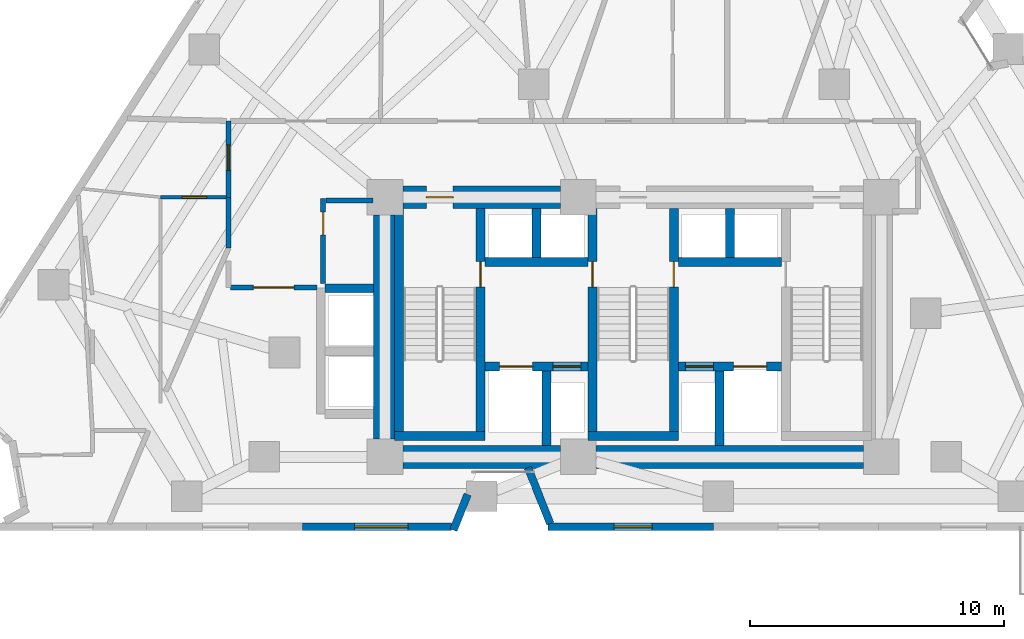
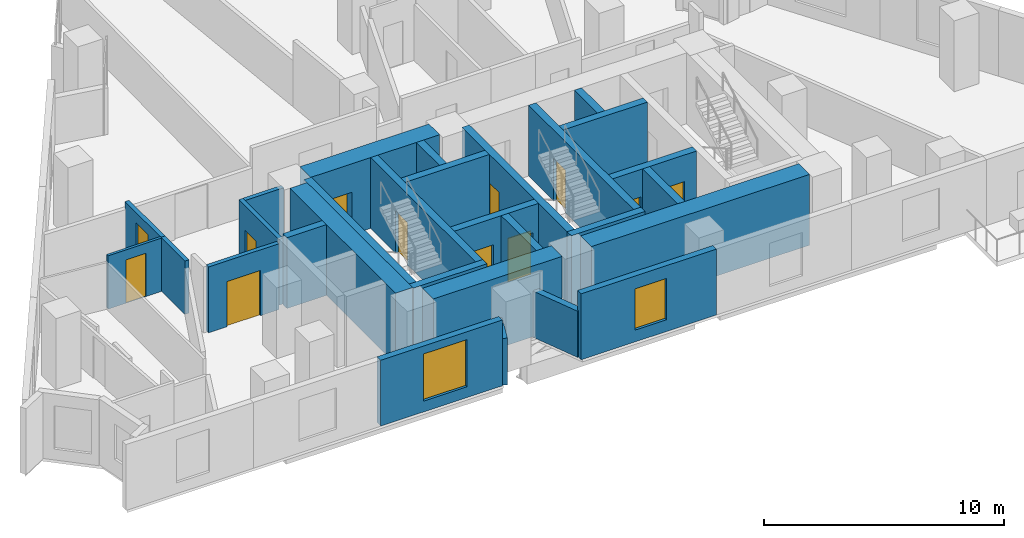
# One storey, part 7 of 13: 29 walls, 12 doors, 2 windows, 14 openings.
"""IFC4 building model written with IfcOpenShell, lengths in metres."""

from ifc_helpers import new_model, si_unit, direction, frame, frame_2d, origin, place, context, subcontext, project, spatial, rectangle, extrude, material, layer, layer_set, type_object, element, fill, save


model = new_model("IFC4")

# Units and contexts
model_context = context("Model", 3, precision=1e-05, world=origin(), true_north=direction((0.0, 1.0)))
body_context = subcontext(model_context, "Body", "Model", "MODEL_VIEW")
ifc_project = project(units=[si_unit("LENGTHUNIT", "METRE"), si_unit("AREAUNIT", "SQUARE_METRE"), si_unit("VOLUMEUNIT", "CUBIC_METRE"), si_unit("PLANEANGLEUNIT", "RADIAN"), si_unit("MASSUNIT", "GRAM", prefix="KILO")], contexts=[model_context])

# Site, building, storey
site_placement = place(None, origin())
site = spatial("IfcSite", under=ifc_project, at=site_placement, CompositionType="ELEMENT")
building_placement = place(site_placement, origin())
building = spatial("IfcBuilding", under=site, at=building_placement, Name="Almagre Mirador Tower", CompositionType="ELEMENT")
storey_placement = place(building_placement, frame((0.0, 0.0, 85.800048828125)))
storey = spatial("IfcBuildingStorey", under=building, at=storey_placement, Name="L21", CompositionType="ELEMENT", Elevation=85.800048828125)

# Wall, opening, window
ifc_material_1 = material(Name="Precast concrete C50/60", Category="concrete")
ifc_layer_1 = layer(ifc_material_1, 0.300048828125)
ifc_layer_set_1 = layer_set([ifc_layer_1], Name="Precast concrete C50/60")
wall_type_1 = type_object("IfcWallType", Name="WAL-EXT-300", PredefinedType="SOLIDWALL", material=ifc_layer_set_1)
wall_1_placement = place(storey_placement, frame((40.448974609375, 1.800048828125, 0.0), z_axis=(0.0, 0.0, 1.0), x_axis=(-1.0, 0.0, 0.0)))
wall_1 = element("IfcWall", 1, at=wall_1_placement, inside=storey, type_object=wall_type_1, Name="L21 expressed almagre precast frame wall 25", PredefinedType="SOLIDWALL", context=body_context, shape_type="SweptSolid", body=[
    extrude(rectangle(XDim=6.4970703125, YDim=0.300048828125, at=frame_2d((3.24853515625, 0.0))), origin(), (0.0, 0.0, 1.0), 3.349853515625),
])
opening_1_placement = place(wall_1_placement, frame((2.39990234375, 0.0, 0.60009765625)))
opening_1 = element("IfcOpeningElement", 2, at=opening_1_placement, cuts=wall_1, Name="Opening WN-03", PredefinedType="OPENING", context=body_context, shape_type="SweptSolid", body=[
    extrude(rectangle(XDim=1.5, YDim=2.10009765625, at=frame_2d((0.75, 1.050048828125))), frame((0.0, 0.159902, 0.0), z_axis=(0.0, -1.0, 0.0), x_axis=(1.0, 0.0, 0.0)), (0.0, 0.0, 1.0), 0.320049),
])
ifc_material_2 = material(Name="Dark solar-control laminated hurricane glass", Category="glass")
window_type_1 = type_object("IfcWindowType", Name="WIN-1500X2100", PartitioningType="DOUBLE_PANEL_VERTICAL", PredefinedType="WINDOW", material=ifc_material_2)
window_1_placement = place(opening_1_placement, origin())
window_1 = element("IfcWindow", 3, at=window_1_placement, inside=storey, type_object=window_type_1, Name="L21 recessed hurricane window L21-RST-B", OverallHeight=2.10009765625, OverallWidth=1.5, PartitioningType="SINGLE_PANEL", PredefinedType="WINDOW", context=body_context, shape_type="SweptSolid", body=[
    extrude(rectangle(XDim=1.5, YDim=2.10009765625, at=frame_2d((0.75, 1.050048828125))), frame((0.0, 0.030029296875, 0.0), z_axis=(0.0, -1.0, 0.0), x_axis=(1.0, 0.0, 0.0)), (0.0, 0.0, 1.0), 0.06005859375),
])
fill(opening_1, window_1)

# Walls
wall_2_placement = place(storey_placement, frame((34.0419921875, 1.92529296875, 0.0), z_axis=(0.0, 0.0, 1.0), x_axis=(-0.36946923074, 0.92924296475, 0.0)))
element("IfcWall", 4, at=wall_2_placement, inside=storey, type_object=wall_type_1, Name="L21 expressed almagre precast frame wall 26", PredefinedType="SOLIDWALL", context=body_context, shape_type="SweptSolid", body=[
    extrude(rectangle(XDim=2.366943359375, YDim=0.300048828125, at=frame_2d((1.18359375, 0.0))), origin(), (0.0, 0.0, 1.0), 2.349853515625),
])
wall_3_placement = place(storey_placement, frame((30.798095703125, 3.072509765625, 0.0), z_axis=(0.0, 0.0, 1.0), x_axis=(-0.369577358024, -0.929199965797, 0.0)))
element("IfcWall", 5, at=wall_3_placement, inside=storey, type_object=wall_type_1, Name="L21 expressed almagre precast frame wall 27", PredefinedType="SOLIDWALL", context=body_context, shape_type="SweptSolid", body=[
    extrude(rectangle(XDim=1.509521484375, YDim=0.300048828125, at=frame_2d((0.7548828125, 0.0))), origin(), (0.0, 0.0, 1.0), 2.375),
])

# Wall, opening, window
wall_4_placement = place(storey_placement, frame((30.156982421875, 1.800048828125, 0.0), z_axis=(0.0, 0.0, 1.0), x_axis=(-1.0, 0.0, 0.0)))
wall_4 = element("IfcWall", 6, at=wall_4_placement, inside=storey, type_object=wall_type_1, Name="L21 expressed almagre precast frame wall 28", PredefinedType="SOLIDWALL", context=body_context, shape_type="SweptSolid", body=[
    extrude(rectangle(XDim=5.848876953125, YDim=0.300048828125, at=frame_2d((2.92431640625, 0.0))), origin(), (0.0, 0.0, 1.0), 3.349853515625),
])
opening_2_placement = place(wall_4_placement, frame((1.699951171875, 0.0, 0.550048828125)))
opening_2 = element("IfcOpeningElement", 7, at=opening_2_placement, cuts=wall_4, Name="Opening WN-05", PredefinedType="OPENING", context=body_context, shape_type="SweptSolid", body=[
    extrude(rectangle(XDim=2.10009765625, YDim=2.39990234375, at=frame_2d((1.050048828125, 1.199951171875))), frame((0.0, 0.159902, 0.0), z_axis=(0.0, -1.0, 0.0), x_axis=(1.0, 0.0, 0.0)), (0.0, 0.0, 1.0), 0.320049),
])
ifc_material_3 = material(Name="Dark solar-control laminated hurricane glass", Category="glass")
window_type_2 = type_object("IfcWindowType", Name="WIN-2100X2400", PartitioningType="DOUBLE_PANEL_VERTICAL", PredefinedType="WINDOW", material=ifc_material_3)
window_2_placement = place(opening_2_placement, origin())
window_2 = element("IfcWindow", 8, at=window_2_placement, inside=storey, type_object=window_type_2, Name="L21 recessed hurricane window L21-RST-A", OverallHeight=2.39990234375, OverallWidth=2.10009765625, PartitioningType="SINGLE_PANEL", PredefinedType="WINDOW", context=body_context, shape_type="SweptSolid", body=[
    extrude(rectangle(XDim=2.10009765625, YDim=2.39990234375, at=frame_2d((1.050048828125, 1.199951171875))), frame((0.0, 0.030029296875, 0.0), z_axis=(0.0, -1.0, 0.0), x_axis=(1.0, 0.0, 0.0)), (0.0, 0.0, 1.0), 0.06005859375),
])
fill(opening_2, window_2)

# Wall, opening, door
ifc_material_4 = material(Name="Gypsum acoustic stud partition", Category="other")
ifc_layer_2 = layer(ifc_material_4, 0.125)
ifc_layer_set_2 = layer_set([ifc_layer_2], Name="Gypsum acoustic stud partition")
wall_type_2 = type_object("IfcWallType", Name="WAL-PRT-125-UTL", PredefinedType="PARTITIONING", material=ifc_layer_set_2)
wall_5_placement = place(storey_placement, frame((18.72998046875, 14.75, 0.0), z_axis=(0.0, 0.0, 1.0), x_axis=(1.0, 0.0, 0.0)))
wall_5 = element("IfcWall", 9, at=wall_5_placement, inside=storey, type_object=wall_type_2, Name="L21 interior partition 021", PredefinedType="PARTITIONING", context=body_context, shape_type="SweptSolid", body=[
    extrude(rectangle(XDim=2.5849609375, YDim=0.125, at=frame_2d((1.29248046875, 0.0))), origin(), (0.0, 0.0, 1.0), 2.7119140625),
])
opening_3_placement = place(wall_5_placement, frame((0.860107421875, 0.0, 0.0)))
opening_3 = element("IfcOpeningElement", 10, at=opening_3_placement, cuts=wall_5, Name="Opening UD-01", PredefinedType="OPENING", context=body_context, shape_type="SweptSolid", body=[
    extrude(rectangle(XDim=0.949951171875, YDim=2.199951171875, at=frame_2d((0.47509765625, 1.10009765625))), frame((0.0, 0.0725, 0.0), z_axis=(0.0, -1.0, 0.0), x_axis=(1.0, 0.0, 0.0)), (0.0, 0.0, 1.0), 0.145),
])
ifc_material_5 = material(Name="Solid American walnut timber", Category="wood")
door_type_1 = type_object("IfcDoorType", Name="DOR-UNR-950X2200", OperationType="NOTDEFINED", PredefinedType="DOOR", material=ifc_material_5)
door_1_placement = place(opening_3_placement, origin())
door_1 = element("IfcDoor", 11, at=door_1_placement, inside=storey, type_object=door_type_1, Name="DR-0725 L21 interior door L21-UC-LV to L21-UC-KT", OperationType="SINGLE_SWING_RIGHT", OverallHeight=2.199951171875, OverallWidth=0.949951171875, PredefinedType="DOOR", context=body_context, shape_type="SweptSolid", body=[
    extrude(rectangle(XDim=0.949951171875, YDim=2.199951171875, at=frame_2d((0.47509765625, 1.10009765625))), frame((0.0, 0.02490234375, 0.0), z_axis=(0.0, -1.0, 0.0), x_axis=(1.0, 0.0, 0.0)), (0.0, 0.0, 1.0), 0.050048828125),
])
fill(opening_3, door_1)

ifc_material_6 = material(Name="Gypsum acoustic stud partition", Category="other")
ifc_layer_3 = layer(ifc_material_6, 0.199951171875)
ifc_layer_set_3 = layer_set([ifc_layer_3], Name="Gypsum acoustic stud partition")
wall_type_3 = type_object("IfcWallType", Name="WAL-PRT-200-EI60", PredefinedType="PARTITIONING", material=ifc_layer_set_3)
wall_6_placement = place(storey_placement, frame((25.1201171875, 11.3701171875, 0.0), z_axis=(0.0, 0.0, 1.0), x_axis=(0.0, 1.0, 0.0)))
wall_6 = element("IfcWall", 12, at=wall_6_placement, inside=storey, type_object=wall_type_3, Name="L21 core ancillary west wall", PredefinedType="PARTITIONING", context=body_context, shape_type="SweptSolid", body=[
    extrude(rectangle(XDim=3.33984375, YDim=0.199951171875, at=frame_2d((1.669921875, 0.0))), origin(), (0.0, 0.0, 1.0), 3.349853515625),
])
opening_4_placement = place(wall_6_placement, frame((1.89990234375, 0.0, 0.0)))
opening_4 = element("IfcOpeningElement", 13, at=opening_4_placement, cuts=wall_6, Name="Opening ID-03", PredefinedType="OPENING", context=body_context, shape_type="SweptSolid", body=[
    extrude(rectangle(XDim=0.89990234375, YDim=2.10009765625, at=frame_2d((0.449951171875, 1.050048828125))), frame((0.0, 0.110098, 0.0), z_axis=(0.0, -1.0, 0.0), x_axis=(1.0, 0.0, 0.0)), (0.0, 0.0, 1.0), 0.219951),
])
ifc_material_7 = material(Name="Fire-rated hollow steel", Category="steel")
door_type_2 = type_object("IfcDoorType", Name="DOR-FD60-900X2100", OperationType="NOTDEFINED", PredefinedType="DOOR", material=ifc_material_7)
door_2_placement = place(opening_4_placement, origin())
door_2 = element("IfcDoor", 14, at=door_2_placement, inside=storey, type_object=door_type_2, Name="DR-0714 L21 core ancillary corridor door", OperationType="SINGLE_SWING_RIGHT", OverallHeight=2.10009765625, OverallWidth=0.89990234375, PredefinedType="DOOR", context=body_context, shape_type="SweptSolid", body=[
    extrude(rectangle(XDim=0.89990234375, YDim=2.10009765625, at=frame_2d((0.449951171875, 1.050048828125))), frame((0.0, 0.02490234375, 0.0), z_axis=(0.0, -1.0, 0.0), x_axis=(1.0, 0.0, 0.0)), (0.0, 0.0, 1.0), 0.050048828125),
])
fill(opening_4, door_2)

# Wall
wall_7_placement = place(storey_placement, frame((25.22509765625, 14.6201171875, 0.0), z_axis=(0.0, 0.0, 1.0), x_axis=(1.0, 0.0, 0.0)))
element("IfcWall", 15, at=wall_7_placement, inside=storey, type_object=wall_type_3, Name="L21 core ancillary north wall", PredefinedType="PARTITIONING", context=body_context, shape_type="SweptSolid", body=[
    extrude(rectangle(XDim=1.85986328125, YDim=0.199951171875, at=frame_2d((0.929931640625, 0.0))), origin(), (0.0, 0.0, 1.0), 3.349853515625),
])

# Wall, opening, door
wall_8_placement = place(storey_placement, frame((21.485107421875, 11.199951171875, 0.0), z_axis=(0.0, 0.0, 1.0), x_axis=(1.0, 0.0, 0.0)))
wall_8 = element("IfcWall", 16, at=wall_8_placement, inside=storey, type_object=wall_type_3, Name="L21 interior partition 002", PredefinedType="PARTITIONING", context=body_context, shape_type="SweptSolid", body=[
    extrude(rectangle(XDim=3.384033203125, YDim=0.199951171875, at=frame_2d((1.69189453125, 0.0))), origin(), (0.0, 0.0, 1.0), 3.349853515625),
])
opening_5_placement = place(wall_8_placement, frame((0.889892578125, 0.0, 0.0)))
opening_5 = element("IfcOpeningElement", 17, at=opening_5_placement, cuts=wall_8, Name="Opening ID-05", PredefinedType="OPENING", context=body_context, shape_type="SweptSolid", body=[
    extrude(rectangle(XDim=1.60009765625, YDim=2.300048828125, at=frame_2d((0.800048828125, 1.14990234375))), frame((0.0, 0.110098, 0.0), z_axis=(0.0, -1.0, 0.0), x_axis=(1.0, 0.0, 0.0)), (0.0, 0.0, 1.0), 0.219951),
])
ifc_material_8 = material(Name="Fire-rated acoustic timber", Category="wood")
door_type_3 = type_object("IfcDoorType", Name="DOR-FD60-1600X2300", OperationType="DOUBLE_DOOR_SINGLE_SWING", PredefinedType="DOOR", material=ifc_material_8)
door_3_placement = place(opening_5_placement, origin())
door_3 = element("IfcDoor", 18, at=door_3_placement, inside=storey, type_object=door_type_3, Name="DR-0719 L21 interior door L21-RCOR to L21-RST-A", OperationType="DOUBLE_DOOR_SINGLE_SWING", OverallHeight=2.300048828125, OverallWidth=1.60009765625, PredefinedType="DOOR", context=body_context, shape_type="SweptSolid", body=[
    extrude(rectangle(XDim=1.60009765625, YDim=2.300048828125, at=frame_2d((0.800048828125, 1.14990234375))), frame((0.0, 0.02490234375, 0.0), z_axis=(0.0, -1.0, 0.0), x_axis=(1.0, 0.0, 0.0)), (0.0, 0.0, 1.0), 0.050048828125),
])
fill(opening_5, door_3)

wall_9_placement = place(storey_placement, frame((21.39990234375, 17.75, 0.0), z_axis=(0.0, 0.0, 1.0), x_axis=(0.0, -1.0, 0.0)))
wall_9 = element("IfcWall", 19, at=wall_9_placement, inside=storey, type_object=wall_type_3, Name="L21 interior partition 005", PredefinedType="PARTITIONING", context=body_context, shape_type="SweptSolid", body=[
    extrude(rectangle(XDim=3.0, YDim=0.199951171875, at=frame_2d((1.5, 0.0))), origin(), (0.0, 0.0, 1.0), 2.7119140625),
])
opening_6_placement = place(wall_9_placement, frame((0.942626953125, 0.0, 0.0)))
opening_6 = element("IfcOpeningElement", 20, at=opening_6_placement, cuts=wall_9, Name="Opening ID-01", PredefinedType="OPENING", context=body_context, shape_type="SweptSolid", body=[
    extrude(rectangle(XDim=1.0, YDim=2.199951171875, at=frame_2d((0.5, 1.10009765625))), frame((0.0, 0.110098, 0.0), z_axis=(0.0, -1.0, 0.0), x_axis=(1.0, 0.0, 0.0)), (0.0, 0.0, 1.0), 0.219951),
])
ifc_material_9 = material(Name="Fire-rated walnut timber", Category="wood")
door_type_4 = type_object("IfcDoorType", Name="DOR-FD60-1000X2200", OperationType="NOTDEFINED", PredefinedType="DOOR", material=ifc_material_9)
door_4_placement = place(opening_6_placement, origin())
door_4 = element("IfcDoor", 21, at=door_4_placement, inside=storey, type_object=door_type_4, Name="DR-0724 L21 interior door L21-RCOR to L21-UC-LV", OperationType="SINGLE_SWING_LEFT", OverallHeight=2.199951171875, OverallWidth=1.0, PredefinedType="DOOR", context=body_context, shape_type="SweptSolid", body=[
    extrude(rectangle(XDim=1.0, YDim=2.199951171875, at=frame_2d((0.5, 1.10009765625))), frame((0.0, 0.02490234375, 0.0), z_axis=(0.0, -1.0, 0.0), x_axis=(1.0, 0.0, 0.0)), (0.0, 0.0, 1.0), 0.050048828125),
])
fill(opening_6, door_4)

# Walls
wall_10_placement = place(storey_placement, frame((21.39990234375, 14.75, 0.0), z_axis=(0.0, 0.0, 1.0), x_axis=(0.0, -1.0, 0.0)))
element("IfcWall", 22, at=wall_10_placement, inside=storey, type_object=wall_type_3, Name="L21 interior partition 006", PredefinedType="PARTITIONING", context=body_context, shape_type="SweptSolid", body=[
    extrude(rectangle(XDim=2.0, YDim=0.199951171875, at=frame_2d((1.0, 0.0))), origin(), (0.0, 0.0, 1.0), 2.7119140625),
])
ifc_material_10 = material(Name="Concrete C60/75", Category="concrete")
ifc_layer_4 = layer(ifc_material_10, 0.35009765625)
ifc_layer_set_4 = layer_set([ifc_layer_4], Name="Concrete C60/75")
wall_type_4 = type_object("IfcWallType", Name="WAL-SHF-350", PredefinedType="SOLIDWALL", material=ifc_layer_set_4)
wall_11_placement = place(storey_placement, frame((28.10009765625, 5.199951171875, 0.0), z_axis=(0.0, 0.0, 1.0), x_axis=(0.0, 1.0, 0.0)))
element("IfcWall", 23, at=wall_11_placement, inside=storey, type_object=wall_type_4, Name="L21 shaft wall ST1-W", PredefinedType="SOLIDWALL", context=body_context, shape_type="SweptSolid", body=[
    extrude(rectangle(XDim=9.10009765625, YDim=0.35009765625, at=frame_2d((4.550048828125, 0.0))), origin(), (0.0, 0.0, 1.0), 3.599853515625),
])

# Wall, opening, door
wall_12_placement = place(storey_placement, frame((31.300048828125, 5.199951171875, 0.0), z_axis=(0.0, 0.0, 1.0), x_axis=(0.0, 1.0, 0.0)))
wall_12 = element("IfcWall", 24, at=wall_12_placement, inside=storey, type_object=wall_type_4, Name="L21 shaft wall ST1-E", PredefinedType="SOLIDWALL", context=body_context, shape_type="SweptSolid", body=[
    extrude(rectangle(XDim=9.10009765625, YDim=0.35009765625, at=frame_2d((4.550048828125, 0.0))), origin(), (0.0, 0.0, 1.0), 3.599853515625),
])
opening_7_placement = place(wall_12_placement, frame((6.02001953125, 0.0, 0.0)))
opening_7 = element("IfcOpeningElement", 25, at=opening_7_placement, cuts=wall_12, Name="Opening FD-01", PredefinedType="OPENING", context=body_context, shape_type="SweptSolid", body=[
    extrude(rectangle(XDim=1.0, YDim=2.14990234375, at=frame_2d((0.5, 1.074951171875))), frame((0.0, 0.185049, 0.0), z_axis=(0.0, -1.0, 0.0), x_axis=(1.0, 0.0, 0.0)), (0.0, 0.0, 1.0), 0.370098),
])
ifc_material_11 = material(Name="Fire-rated hollow steel", Category="steel")
door_type_5 = type_object("IfcDoorType", Name="DOR-FFL-1000X2150", OperationType="NOTDEFINED", PredefinedType="DOOR", material=ifc_material_11)
door_5_placement = place(opening_7_placement, origin())
door_5 = element("IfcDoor", 26, at=door_5_placement, inside=storey, type_object=door_type_5, Name="DR-0715 L21 FFL1-ST1 smokeproof door", OperationType="SINGLE_SWING_RIGHT", OverallHeight=2.14990234375, OverallWidth=1.0, PredefinedType="DOOR", context=body_context, shape_type="SweptSolid", body=[
    extrude(rectangle(XDim=1.0, YDim=2.14990234375, at=frame_2d((0.5, 1.074951171875))), frame((0.0, 0.02490234375, 0.0), z_axis=(0.0, -1.0, 0.0), x_axis=(1.0, 0.0, 0.0)), (0.0, 0.0, 1.0), 0.050048828125),
])
fill(opening_7, door_5)

# Wall
wall_13_placement = place(storey_placement, frame((27.925048828125, 5.375, 0.0), z_axis=(0.0, 0.0, 1.0), x_axis=(1.0, 0.0, 0.0)))
element("IfcWall", 27, at=wall_13_placement, inside=storey, type_object=wall_type_4, Name="L21 shaft wall ST1-S", PredefinedType="SOLIDWALL", context=body_context, shape_type="SweptSolid", body=[
    extrude(rectangle(XDim=3.550048828125, YDim=0.35009765625, at=frame_2d((1.77490234375, 0.0))), origin(), (0.0, 0.0, 1.0), 3.599853515625),
])

# Wall, opening, door
wall_14_placement = place(storey_placement, frame((35.699951171875, 5.199951171875, 0.0), z_axis=(0.0, 0.0, 1.0), x_axis=(0.0, 1.0, 0.0)))
wall_14 = element("IfcWall", 28, at=wall_14_placement, inside=storey, type_object=wall_type_4, Name="L21 shaft wall ST2-W", PredefinedType="SOLIDWALL", context=body_context, shape_type="SweptSolid", body=[
    extrude(rectangle(XDim=9.10009765625, YDim=0.35009765625, at=frame_2d((4.550048828125, 0.0))), origin(), (0.0, 0.0, 1.0), 3.599853515625),
])
opening_8_placement = place(wall_14_placement, frame((6.02001953125, 0.0, 0.0)))
opening_8 = element("IfcOpeningElement", 29, at=opening_8_placement, cuts=wall_14, Name="Opening FD-01", PredefinedType="OPENING", context=body_context, shape_type="SweptSolid", body=[
    extrude(rectangle(XDim=1.0, YDim=2.14990234375, at=frame_2d((0.5, 1.074951171875))), frame((0.0, 0.185049, 0.0), z_axis=(0.0, -1.0, 0.0), x_axis=(1.0, 0.0, 0.0)), (0.0, 0.0, 1.0), 0.370098),
])
door_6_placement = place(opening_8_placement, origin())
door_6 = element("IfcDoor", 30, at=door_6_placement, inside=storey, type_object=door_type_5, Name="DR-0716 L21 FFL1-ST2 smokeproof door", OperationType="SINGLE_SWING_LEFT", OverallHeight=2.14990234375, OverallWidth=1.0, PredefinedType="DOOR", context=body_context, shape_type="SweptSolid", body=[
    extrude(rectangle(XDim=1.0, YDim=2.14990234375, at=frame_2d((0.5, 1.074951171875))), frame((0.0, 0.02490234375, 0.0), z_axis=(0.0, -1.0, 0.0), x_axis=(1.0, 0.0, 0.0)), (0.0, 0.0, 1.0), 0.050048828125),
])
fill(opening_8, door_6)

wall_15_placement = place(storey_placement, frame((38.89990234375, 5.199951171875, 0.0), z_axis=(0.0, 0.0, 1.0), x_axis=(0.0, 1.0, 0.0)))
wall_15 = element("IfcWall", 31, at=wall_15_placement, inside=storey, type_object=wall_type_4, Name="L21 shaft wall ST2-E", PredefinedType="SOLIDWALL", context=body_context, shape_type="SweptSolid", body=[
    extrude(rectangle(XDim=9.10009765625, YDim=0.35009765625, at=frame_2d((4.550048828125, 0.0))), origin(), (0.0, 0.0, 1.0), 3.599853515625),
])
opening_9_placement = place(wall_15_placement, frame((6.02001953125, 0.0, 0.0)))
opening_9 = element("IfcOpeningElement", 32, at=opening_9_placement, cuts=wall_15, Name="Opening FD-01", PredefinedType="OPENING", context=body_context, shape_type="SweptSolid", body=[
    extrude(rectangle(XDim=1.0, YDim=2.14990234375, at=frame_2d((0.5, 1.074951171875))), frame((0.0, 0.185049, 0.0), z_axis=(0.0, -1.0, 0.0), x_axis=(1.0, 0.0, 0.0)), (0.0, 0.0, 1.0), 0.370098),
])
door_7_placement = place(opening_9_placement, origin())
door_7 = element("IfcDoor", 33, at=door_7_placement, inside=storey, type_object=door_type_5, Name="DR-0717 L21 FFL2-ST2 smokeproof door", OperationType="SINGLE_SWING_RIGHT", OverallHeight=2.14990234375, OverallWidth=1.0, PredefinedType="DOOR", context=body_context, shape_type="SweptSolid", body=[
    extrude(rectangle(XDim=1.0, YDim=2.14990234375, at=frame_2d((0.5, 1.074951171875))), frame((0.0, 0.02490234375, 0.0), z_axis=(0.0, -1.0, 0.0), x_axis=(1.0, 0.0, 0.0)), (0.0, 0.0, 1.0), 0.050048828125),
])
fill(opening_9, door_7)

# Wall
wall_16_placement = place(storey_placement, frame((35.52490234375, 5.375, 0.0), z_axis=(0.0, 0.0, 1.0), x_axis=(1.0, 0.0, 0.0)))
element("IfcWall", 34, at=wall_16_placement, inside=storey, type_object=wall_type_4, Name="L21 shaft wall ST2-S", PredefinedType="SOLIDWALL", context=body_context, shape_type="SweptSolid", body=[
    extrude(rectangle(XDim=3.550048828125, YDim=0.35009765625, at=frame_2d((1.77490234375, 0.0))), origin(), (0.0, 0.0, 1.0), 3.599853515625),
])

# Wall, openings, doors
wall_17_placement = place(storey_placement, frame((31.47509765625, 8.10009765625, 0.0), z_axis=(0.0, 0.0, 1.0), x_axis=(1.0, 0.0, 0.0)))
wall_17 = element("IfcWall", 35, at=wall_17_placement, inside=storey, type_object=wall_type_4, Name="L21 shaft wall FSAE1-N", PredefinedType="SOLIDWALL", context=body_context, shape_type="SweptSolid", body=[
    extrude(rectangle(XDim=4.0498046875, YDim=0.35009765625, at=frame_2d((2.02490234375, 0.0))), origin(), (0.0, 0.0, 1.0), 3.599853515625),
])
opening_10_placement = place(wall_17_placement, frame((0.574951171875, 0.0, 0.0)))
opening_10 = element("IfcOpeningElement", 36, at=opening_10_placement, cuts=wall_17, Name="Opening LD-03", PredefinedType="OPENING", context=body_context, shape_type="SweptSolid", body=[
    extrude(rectangle(XDim=1.300048828125, YDim=2.25, at=frame_2d((0.64990234375, 1.125))), frame((0.0, 0.185049, 0.0), z_axis=(0.0, -1.0, 0.0), x_axis=(1.0, 0.0, 0.0)), (0.0, 0.0, 1.0), 0.370098),
])
opening_11_placement = place(wall_17_placement, frame((2.675048828125, 0.0, 0.0)))
opening_11 = element("IfcOpeningElement", 37, at=opening_11_placement, cuts=wall_17, Name="Opening LD-01", PredefinedType="OPENING", context=body_context, shape_type="SweptSolid", body=[
    extrude(rectangle(XDim=1.10009765625, YDim=2.199951171875, at=frame_2d((0.550048828125, 1.10009765625))), frame((0.0, 0.185049, 0.0), z_axis=(0.0, -1.0, 0.0), x_axis=(1.0, 0.0, 0.0)), (0.0, 0.0, 1.0), 0.370098),
])
ifc_material_12 = material(Name="Hollow stainless steel", Category="steel")
door_type_6 = type_object("IfcDoorType", Name="DOR-LD-1100X2200", OperationType="DOUBLE_DOOR_SLIDING", PredefinedType="DOOR", material=ifc_material_12)
door_8_placement = place(opening_11_placement, origin())
door_8 = element("IfcDoor", 38, at=door_8_placement, inside=storey, type_object=door_type_6, Name="DR-0734 L21 PL-L1 lift landing door", OperationType="DOUBLE_DOOR_SLIDING", OverallHeight=2.199951171875, OverallWidth=1.10009765625, PredefinedType="DOOR", context=body_context, shape_type="SweptSolid", body=[
    extrude(rectangle(XDim=1.10009765625, YDim=2.199951171875, at=frame_2d((0.550048828125, 1.10009765625))), frame((0.0, 0.02490234375, 0.0), z_axis=(0.0, -1.0, 0.0), x_axis=(1.0, 0.0, 0.0)), (0.0, 0.0, 1.0), 0.050048828125),
])
fill(opening_11, door_8)
ifc_material_13 = material(Name="Hollow stainless steel", Category="steel")
door_type_7 = type_object("IfcDoorType", Name="DOR-LD-1300X2250", OperationType="DOUBLE_DOOR_SLIDING", PredefinedType="DOOR", material=ifc_material_13)
door_9_placement = place(opening_10_placement, origin())
door_9 = element("IfcDoor", 39, at=door_9_placement, inside=storey, type_object=door_type_7, Name="DR-0732 L21 FSAE-1 lift landing door", OperationType="DOUBLE_DOOR_SLIDING", OverallHeight=2.25, OverallWidth=1.300048828125, PredefinedType="DOOR", context=body_context, shape_type="SweptSolid", body=[
    extrude(rectangle(XDim=1.300048828125, YDim=2.25, at=frame_2d((0.64990234375, 1.125))), frame((0.0, 0.02490234375, 0.0), z_axis=(0.0, -1.0, 0.0), x_axis=(1.0, 0.0, 0.0)), (0.0, 0.0, 1.0), 0.050048828125),
])
fill(opening_10, door_9)

wall_18_placement = place(storey_placement, frame((39.074951171875, 8.10009765625, 0.0), z_axis=(0.0, 0.0, 1.0), x_axis=(1.0, 0.0, 0.0)))
wall_18 = element("IfcWall", 40, at=wall_18_placement, inside=storey, type_object=wall_type_4, Name="L21 shaft wall FSAE2-N", PredefinedType="SOLIDWALL", context=body_context, shape_type="SweptSolid", body=[
    extrude(rectangle(XDim=4.050048828125, YDim=0.35009765625, at=frame_2d((2.02490234375, 0.0))), origin(), (0.0, 0.0, 1.0), 3.599853515625),
])
opening_12_placement = place(wall_18_placement, frame((2.175048828125, 0.0, 0.0)))
opening_12 = element("IfcOpeningElement", 41, at=opening_12_placement, cuts=wall_18, Name="Opening LD-03", PredefinedType="OPENING", context=body_context, shape_type="SweptSolid", body=[
    extrude(rectangle(XDim=1.300048828125, YDim=2.25, at=frame_2d((0.64990234375, 1.125))), frame((0.0, 0.185049, 0.0), z_axis=(0.0, -1.0, 0.0), x_axis=(1.0, 0.0, 0.0)), (0.0, 0.0, 1.0), 0.370098),
])
opening_13_placement = place(wall_18_placement, frame((0.27490234375, 0.0, 0.0)))
opening_13 = element("IfcOpeningElement", 42, at=opening_13_placement, cuts=wall_18, Name="Opening LD-01", PredefinedType="OPENING", context=body_context, shape_type="SweptSolid", body=[
    extrude(rectangle(XDim=1.10009765625, YDim=2.199951171875, at=frame_2d((0.550048828125, 1.10009765625))), frame((0.0, 0.185049, 0.0), z_axis=(0.0, -1.0, 0.0), x_axis=(1.0, 0.0, 0.0)), (0.0, 0.0, 1.0), 0.370098),
])
door_10_placement = place(opening_13_placement, origin())
door_10 = element("IfcDoor", 43, at=door_10_placement, inside=storey, type_object=door_type_6, Name="DR-0735 L21 PL-L2 lift landing door", OperationType="DOUBLE_DOOR_SLIDING", OverallHeight=2.199951171875, OverallWidth=1.10009765625, PredefinedType="DOOR", context=body_context, shape_type="SweptSolid", body=[
    extrude(rectangle(XDim=1.10009765625, YDim=2.199951171875, at=frame_2d((0.550048828125, 1.10009765625))), frame((0.0, 0.02490234375, 0.0), z_axis=(0.0, -1.0, 0.0), x_axis=(1.0, 0.0, 0.0)), (0.0, 0.0, 1.0), 0.050048828125),
])
fill(opening_13, door_10)
door_11_placement = place(opening_12_placement, origin())
door_11 = element("IfcDoor", 44, at=door_11_placement, inside=storey, type_object=door_type_7, Name="DR-0733 L21 FSAE-2 lift landing door", OperationType="DOUBLE_DOOR_SLIDING", OverallHeight=2.25, OverallWidth=1.300048828125, PredefinedType="DOOR", context=body_context, shape_type="SweptSolid", body=[
    extrude(rectangle(XDim=1.300048828125, YDim=2.25, at=frame_2d((0.64990234375, 1.125))), frame((0.0, 0.02490234375, 0.0), z_axis=(0.0, -1.0, 0.0), x_axis=(1.0, 0.0, 0.0)), (0.0, 0.0, 1.0), 0.050048828125),
])
fill(opening_12, door_11)

# Walls
for number, where, z_axis, x_axis, name in (
    (45, (33.89990234375, 5.0, 0.0), (0.0, 0.0, 1.0), (0.0, 1.0, 0.0), "L21 shaft wall FSAE1-E"),
    (46, (40.699951171875, 5.0, 0.0), (0.0, 0.0, 1.0), (0.0, 1.0, 0.0), "L21 shaft wall FSAE2-W"),
):
    element("IfcWall", number, at=place(storey_placement, frame(where, z_axis=z_axis, x_axis=x_axis)), inside=storey, type_object=wall_type_4, Name=name, PredefinedType="SOLIDWALL", context=body_context, shape_type="SweptSolid", body=[
        extrude(rectangle(XDim=2.925048828125, YDim=0.35009765625, at=frame_2d((1.46240234375, 0.0))), origin(), (0.0, 0.0, 1.0), 3.599853515625),
    ])
wall_19_placement = place(storey_placement, frame((31.47509765625, 12.199951171875, 0.0), z_axis=(0.0, 0.0, 1.0), x_axis=(1.0, 0.0, 0.0)))
element("IfcWall", 47, at=wall_19_placement, inside=storey, type_object=wall_type_4, Name="L21 shaft wall PLM-S", PredefinedType="SOLIDWALL", context=body_context, shape_type="SweptSolid", body=[
    extrude(rectangle(XDim=4.0498046875, YDim=0.35009765625, at=frame_2d((2.02490234375, 0.0))), origin(), (0.0, 0.0, 1.0), 3.599853515625),
])
wall_20_placement = place(storey_placement, frame((33.5, 12.375, 0.0), z_axis=(0.0, 0.0, 1.0), x_axis=(0.0, 1.0, 0.0)))
element("IfcWall", 48, at=wall_20_placement, inside=storey, type_object=wall_type_4, Name="L21 shaft wall PLM-M", PredefinedType="SOLIDWALL", context=body_context, shape_type="SweptSolid", body=[
    extrude(rectangle(XDim=1.925048828125, YDim=0.35009765625, at=frame_2d((0.96240234375, 0.0))), origin(), (0.0, 0.0, 1.0), 3.599853515625),
])
wall_21_placement = place(storey_placement, frame((39.074951171875, 12.199951171875, 0.0), z_axis=(0.0, 0.0, 1.0), x_axis=(1.0, 0.0, 0.0)))
element("IfcWall", 49, at=wall_21_placement, inside=storey, type_object=wall_type_4, Name="L21 shaft wall PLH-S", PredefinedType="SOLIDWALL", context=body_context, shape_type="SweptSolid", body=[
    extrude(rectangle(XDim=4.050048828125, YDim=0.35009765625, at=frame_2d((2.02490234375, 0.0))), origin(), (0.0, 0.0, 1.0), 3.599853515625),
])
wall_22_placement = place(storey_placement, frame((41.10009765625, 12.375, 0.0), z_axis=(0.0, 0.0, 1.0), x_axis=(0.0, 1.0, 0.0)))
element("IfcWall", 50, at=wall_22_placement, inside=storey, type_object=wall_type_4, Name="L21 shaft wall PLH-M", PredefinedType="SOLIDWALL", context=body_context, shape_type="SweptSolid", body=[
    extrude(rectangle(XDim=1.925048828125, YDim=0.35009765625, at=frame_2d((0.96240234375, 0.0))), origin(), (0.0, 0.0, 1.0), 3.599853515625),
])
wall_23_placement = place(storey_placement, frame((25.199951171875, 11.175048828125, 0.0), z_axis=(0.0, 0.0, 1.0), x_axis=(1.0, 0.0, 0.0)))
element("IfcWall", 51, at=wall_23_placement, inside=storey, type_object=wall_type_4, Name="L21 shaft wall OL-N", PredefinedType="SOLIDWALL", context=body_context, shape_type="SweptSolid", body=[
    extrude(rectangle(XDim=1.900146484375, YDim=0.35009765625, at=frame_2d((0.9501953125, 0.0))), origin(), (0.0, 0.0, 1.0), 3.599853515625),
])
ifc_material_14 = material(Name="Concrete C70/85", Category="concrete")
ifc_layer_5 = layer(ifc_material_14, 0.89990234375)
ifc_layer_set_5 = layer_set([ifc_layer_5], Name="Concrete C70/85")
wall_type_5 = type_object("IfcWallType", Name="WAL-SHR-900", PredefinedType="SHEAR", material=ifc_layer_set_5)
wall_24_placement = place(storey_placement, frame((28.25, 4.550048828125, 0.0), z_axis=(0.0, 0.0, 1.0), x_axis=(1.0, 0.0, 0.0)))
element("IfcWall", 52, at=wall_24_placement, inside=storey, type_object=wall_type_5, Name="L21 core shear wall S1", PredefinedType="SHEAR", context=body_context, shape_type="SweptSolid", body=[
    extrude(rectangle(XDim=6.199951171875, YDim=0.89990234375, at=frame_2d((3.10009765625, 0.0))), origin(), (0.0, 0.0, 1.0), 3.599853515625),
])
wall_25_placement = place(storey_placement, frame((35.85009765625, 4.550048828125, 0.0), z_axis=(0.0, 0.0, 1.0), x_axis=(1.0, 0.0, 0.0)))
element("IfcWall", 53, at=wall_25_placement, inside=storey, type_object=wall_type_5, Name="L21 core shear wall S2", PredefinedType="SHEAR", context=body_context, shape_type="SweptSolid", body=[
    extrude(rectangle(XDim=10.5, YDim=0.89990234375, at=frame_2d((5.25, 0.0))), origin(), (0.0, 0.0, 1.0), 3.599853515625),
])

# Wall, opening, door
wall_26_placement = place(storey_placement, frame((28.25, 14.75, 0.0), z_axis=(0.0, 0.0, 1.0), x_axis=(1.0, 0.0, 0.0)))
wall_26 = element("IfcWall", 54, at=wall_26_placement, inside=storey, type_object=wall_type_5, Name="L21 core shear wall N1", PredefinedType="SHEAR", context=body_context, shape_type="SweptSolid", body=[
    extrude(rectangle(XDim=6.199951171875, YDim=0.89990234375, at=frame_2d((3.10009765625, 0.0))), origin(), (0.0, 0.0, 1.0), 3.599853515625),
])
opening_14_placement = place(wall_26_placement, frame((0.925048828125, 0.0, 0.0)))
opening_14 = element("IfcOpeningElement", 55, at=opening_14_placement, cuts=wall_26, Name="Opening SD-01", PredefinedType="OPENING", context=body_context, shape_type="SweptSolid", body=[
    extrude(rectangle(XDim=1.050048828125, YDim=2.14990234375, at=frame_2d((0.52490234375, 1.074951171875))), frame((0.0, 0.459951, 0.0), z_axis=(0.0, -1.0, 0.0), x_axis=(1.0, 0.0, 0.0)), (0.0, 0.0, 1.0), 0.919902),
])
ifc_material_15 = material(Name="Fire-rated hollow steel", Category="steel")
door_type_8 = type_object("IfcDoorType", Name="DOR-ST-1050X2150", OperationType="NOTDEFINED", PredefinedType="DOOR", material=ifc_material_15)
door_12_placement = place(opening_14_placement, origin())
door_12 = element("IfcDoor", 56, at=door_12_placement, inside=storey, type_object=door_type_8, Name="DR-0736 L21 protected exit stair ST-1 door", OperationType="SINGLE_SWING_RIGHT", OverallHeight=2.14990234375, OverallWidth=1.050048828125, PredefinedType="DOOR", context=body_context, shape_type="SweptSolid", body=[
    extrude(rectangle(XDim=1.050048828125, YDim=2.14990234375, at=frame_2d((0.52490234375, 1.074951171875))), frame((0.0, 0.02490234375, 0.0), z_axis=(0.0, -1.0, 0.0), x_axis=(1.0, 0.0, 0.0)), (0.0, 0.0, 1.0), 0.050048828125),
])
fill(opening_14, door_12)

# Wall
wall_27_placement = place(storey_placement, frame((27.550048828125, 5.25, 0.0), z_axis=(0.0, 0.0, 1.0), x_axis=(0.0, 1.0, 0.0)))
element("IfcWall", 57, at=wall_27_placement, inside=storey, type_object=wall_type_5, Name="L21 core shear wall W1", PredefinedType="SHEAR", context=body_context, shape_type="SweptSolid", body=[
    extrude(rectangle(XDim=8.800048828125, YDim=0.89990234375, at=frame_2d((4.39990234375, 0.0))), origin(), (0.0, 0.0, 1.0), 3.599853515625),
])

save(model, "model.ifc")
